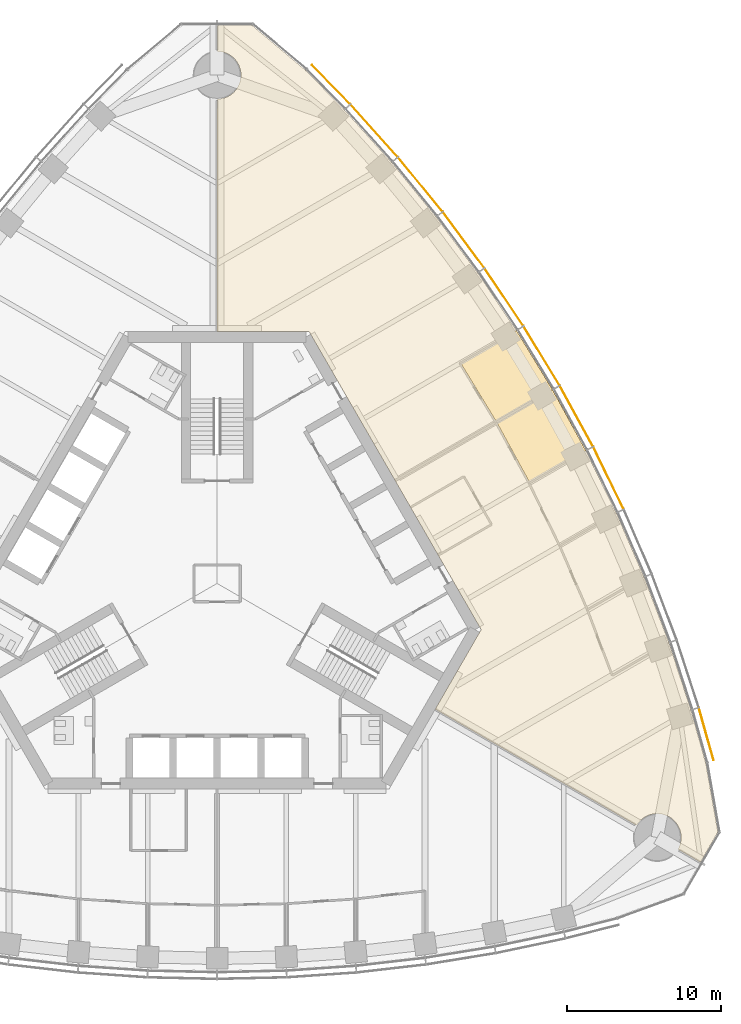
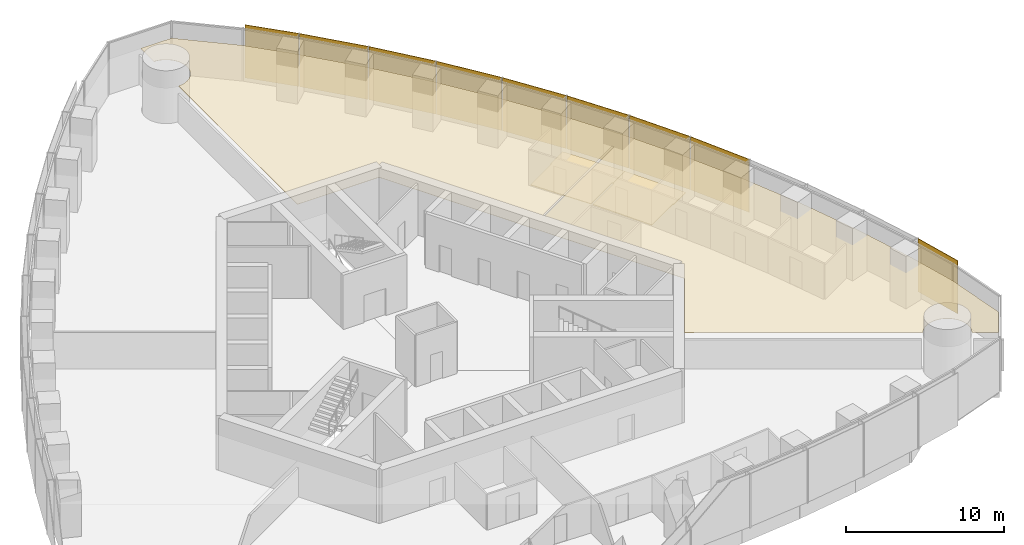
# One storey, part 16 of 18: 9 shading devices, 3 coverings.
"""IFC4 building model written with IfcOpenShell, lengths in metres."""

from ifc_helpers import new_model, si_unit, direction, frame, origin, origin_2d, place, context, subcontext, project, spatial, polyline, rectangle, outline, extrude, material, layer, layer_set, type_object, element, save


model = new_model("IFC4")

# Units and contexts
model_context = context("Model", 3, precision=1e-05, world=origin(), true_north=direction((0.0, 1.0)))
body_context = subcontext(model_context, "Body", "Model", "MODEL_VIEW")
ifc_project = project(units=[si_unit("LENGTHUNIT", "METRE"), si_unit("AREAUNIT", "SQUARE_METRE"), si_unit("VOLUMEUNIT", "CUBIC_METRE"), si_unit("PLANEANGLEUNIT", "RADIAN"), si_unit("MASSUNIT", "GRAM", prefix="KILO")], contexts=[model_context])

# Site, building, storey
site_placement = place(None, origin())
site = spatial("IfcSite", under=ifc_project, at=site_placement, CompositionType="ELEMENT")
building_placement = place(site_placement, origin())
building = spatial("IfcBuilding", under=site, at=building_placement, Name="Trefoil Bronze Tower", CompositionType="ELEMENT")
storey_placement = place(building_placement, frame((0.0, 0.0, 252.699951171875)))
storey = spatial("IfcBuildingStorey", under=building, at=storey_placement, Name="L58", CompositionType="ELEMENT", Elevation=252.699951171875)

# Shading devices
ifc_material_1 = material(Name="Perforated bronze sheet", Category="bronze")
ifc_layer_1 = layer(ifc_material_1, 0.0400390625)
ifc_layer_set_1 = layer_set([ifc_layer_1], Name="Bronze solar screen panel")
shading_device_type = type_object("IfcShadingDeviceType", Name="Bronze solar screen panel", PredefinedType="SHUTTER", material=ifc_layer_set_1)
shading_device_1_placement = place(storey_placement, frame((31.764892578125, -9.7890625, 0.050048828125), z_axis=(0.0, 0.0, 1.0), x_axis=(-0.270282222968, 0.962781138134, 0.0)))
element("IfcShadingDevice", 1, at=shading_device_1_placement, inside=storey, type_object=shading_device_type, Name="Solar screen CW-A L58 F2 bay 1", PredefinedType="SHUTTER", context=body_context, shape_type="SweptSolid", body=[
    extrude(rectangle(XDim=3.53369140625, YDim=0.0400390625, at=origin_2d()), origin(), (0.0, 0.0, 1.0), 4.10009765625),
])
shading_device_2_placement = place(storey_placement, frame((25.4169921875, 6.83740234375, 0.050048828125), z_axis=(0.0, 0.0, 1.0), x_axis=(-0.439129033334, 0.898424004623, 0.0)))
element("IfcShadingDevice", 2, at=shading_device_2_placement, inside=storey, type_object=shading_device_type, Name="Solar screen CW-A L58 F2 bay 5", PredefinedType="SHUTTER", context=body_context, shape_type="SweptSolid", body=[
    extrude(rectangle(XDim=4.480712890625, YDim=0.0400390625, at=origin_2d()), origin(), (0.0, 0.0, 1.0), 4.10009765625),
])
for number, where, z_axis, x_axis, name in (
    (3, (23.3349609375, 10.860107421875, 0.050048828125), (0.0, 0.0, 1.0), (-0.479974003504, 0.877282711536, 0.0), "Solar screen CW-A L58 F2 bay 6"),
    (4, (21.07275390625, 14.77880859375, 0.050048828125), (0.0, 0.0, 1.0), (-0.519762112739, 0.854311035959, 0.0), "Solar screen CW-A L58 F2 bay 7"),
):
    element("IfcShadingDevice", number, at=place(storey_placement, frame(where, z_axis=z_axis, x_axis=x_axis)), inside=storey, type_object=shading_device_type, Name=name, PredefinedType="SHUTTER", context=body_context, shape_type="SweptSolid", body=[
        extrude(rectangle(XDim=4.47119140625, YDim=0.0400390625, at=origin_2d()), origin(), (0.0, 0.0, 1.0), 4.10009765625),
    ])
shading_device_3_placement = place(storey_placement, frame((18.6298828125, 18.59326171875, 0.050048828125), z_axis=(0.0, 0.0, 1.0), x_axis=(-0.558493494706, 0.829508900718, 0.0)))
element("IfcShadingDevice", 5, at=shading_device_3_placement, inside=storey, type_object=shading_device_type, Name="Solar screen CW-A L58 F2 bay 8", PredefinedType="SHUTTER", context=body_context, shape_type="SweptSolid", body=[
    extrude(rectangle(XDim=4.480712890625, YDim=0.0400390625, at=origin_2d()), origin(), (0.0, 0.0, 1.0), 4.10009765625),
])
shading_device_4_placement = place(storey_placement, frame((16.005615234375, 22.302734375, 0.050048828125), z_axis=(0.0, 0.0, 1.0), x_axis=(-0.596161525977, 0.802864518425, 0.0)))
element("IfcShadingDevice", 6, at=shading_device_4_placement, inside=storey, type_object=shading_device_type, Name="Solar screen CW-A L58 F2 bay 9", PredefinedType="SHUTTER", context=body_context, shape_type="SweptSolid", body=[
    extrude(rectangle(XDim=4.5, YDim=0.0400390625, at=origin_2d()), origin(), (0.0, 0.0, 1.0), 4.10009765625),
])
shading_device_5_placement = place(storey_placement, frame((13.197509765625, 25.90625, 0.050048828125), z_axis=(0.0, 0.0, 1.0), x_axis=(-0.63275261301, 0.774354008661, 0.0)))
element("IfcShadingDevice", 7, at=shading_device_5_placement, inside=storey, type_object=shading_device_type, Name="Solar screen CW-A L58 F2 bay 10", PredefinedType="SHUTTER", context=body_context, shape_type="SweptSolid", body=[
    extrude(rectangle(XDim=4.529296875, YDim=0.0400390625, at=origin_2d()), origin(), (0.0, 0.0, 1.0), 4.10009765625),
])
shading_device_6_placement = place(storey_placement, frame((10.20166015625, 29.401611328125, 0.050048828125), z_axis=(0.0, 0.0, 1.0), x_axis=(-0.668245744076, 0.743940606181, 0.0)))
element("IfcShadingDevice", 8, at=shading_device_6_placement, inside=storey, type_object=shading_device_type, Name="Solar screen CW-A L58 F2 bay 11", PredefinedType="SHUTTER", context=body_context, shape_type="SweptSolid", body=[
    extrude(rectangle(XDim=4.5693359375, YDim=0.0400390625, at=origin_2d()), origin(), (0.0, 0.0, 1.0), 4.10009765625),
])
shading_device_7_placement = place(storey_placement, frame((7.40478515625, 32.40380859375, 0.050048828125), z_axis=(0.0, 0.0, 1.0), x_axis=(-0.698651812425, 0.715461840349, 0.0)))
element("IfcShadingDevice", 9, at=shading_device_7_placement, inside=storey, type_object=shading_device_type, Name="Solar screen CW-A L58 F2 bay 12", PredefinedType="SHUTTER", context=body_context, shape_type="SweptSolid", body=[
    extrude(rectangle(XDim=3.53369140625, YDim=0.0400390625, at=origin_2d()), origin(), (0.0, 0.0, 1.0), 4.10009765625),
])

# Coverings
ifc_material_2 = material(Name="Acoustic ceiling panels", Category="mineral fibre")
ifc_layer_2 = layer(ifc_material_2, 0.02001953125)
ifc_layer_set_2 = layer_set([ifc_layer_2], Name="Office ceiling 20")
covering_type_1 = type_object("IfcCoveringType", Name="Office ceiling 20", PredefinedType="CEILING", material=ifc_layer_set_2)
covering_1_placement = place(storey_placement, frame((0.0, 0.0, 2.900146484375)))
element("IfcCovering", 10, at=covering_1_placement, inside=storey, type_object=covering_type_1, Name="Ceiling L58 PA area F2", PredefinedType="CEILING", context=body_context, shape_type="SweptSolid", body=[
    extrude(outline(polyline([(8.26318359375, 30.751708984375), (11.3369140625, 27.329833984375), (14.2216796875, 23.79931640625), (16.92236328125, 20.162353515625), (19.44140625, 16.420654296875), (21.781005859375, 12.5751953125), (23.94140625, 8.62646484375), (25.92236328125, 4.573974609375), (27.7216796875, 0.416748046875), (29.3369140625, -3.846923828125), (30.76318359375, -8.219482421875), (31.7265625, -11.650634765625), (32.518310546875, -16.1416015625), (31.385009765625, -18.1044921875), (29.92724609375, -17.263427734375), (29.94580078125, -17.230712890625), (29.97998046875, -17.16259765625), (30.010986328125, -17.09326171875), (30.0380859375, -17.022216796875), (30.06201171875, -16.949951171875), (30.08251953125, -16.876708984375), (30.09912109375, -16.802490234375), (30.112060546875, -16.727294921875), (30.121337890625, -16.65185546875), (30.126953125, -16.576171875), (30.12890625, -16.5), (30.126953125, -16.423828125), (30.121337890625, -16.34814453125), (30.112060546875, -16.272705078125), (30.09912109375, -16.197509765625), (30.08251953125, -16.123291015625), (30.06201171875, -16.050048828125), (30.0380859375, -15.977783203125), (30.010986328125, -15.90673828125), (29.97998046875, -15.83740234375), (29.94580078125, -15.769287109375), (29.908203125, -15.703125), (29.86767578125, -15.638916015625), (29.82373046875, -15.57666015625), (29.777099609375, -15.5166015625), (29.727294921875, -15.458984375), (29.6748046875, -15.404052734375), (29.619873046875, -15.3515625), (29.56201171875, -15.3017578125), (29.502197265625, -15.2548828125), (29.43994140625, -15.211181640625), (29.375732421875, -15.17041015625), (29.3095703125, -15.133056640625), (29.241455078125, -15.098876953125), (29.172119140625, -15.068115234375), (29.10107421875, -15.04052734375), (29.02880859375, -15.0166015625), (28.95556640625, -14.99658203125), (28.881103515625, -14.979736328125), (28.806396484375, -14.966796875), (28.730712890625, -14.95751953125), (28.65478515625, -14.951904296875), (28.578857421875, -14.949951171875), (28.502685546875, -14.951904296875), (28.427001953125, -14.95751953125), (28.351318359375, -14.966796875), (28.2763671875, -14.979736328125), (28.2021484375, -14.99658203125), (28.12890625, -15.0166015625), (28.056640625, -15.04052734375), (27.985595703125, -15.068115234375), (27.916015625, -15.098876953125), (27.84814453125, -15.133056640625), (27.781982421875, -15.17041015625), (27.7177734375, -15.211181640625), (27.655517578125, -15.2548828125), (27.595458984375, -15.3017578125), (27.537841796875, -15.3515625), (27.48291015625, -15.404052734375), (27.430419921875, -15.458984375), (27.380615234375, -15.5166015625), (27.333984375, -15.57666015625), (27.2900390625, -15.638916015625), (27.24267578125, -15.71484375), (14.16259765625, -8.169677734375), (17.147216796875, -3.0), (5.9755859375, 16.35009765625), (0.006103515625, 16.35009765625), (0.01171875, 31.4501953125), (0.076171875, 31.451904296875), (0.15185546875, 31.45751953125), (0.227294921875, 31.466796875), (0.302490234375, 31.479736328125), (0.376708984375, 31.49658203125), (0.449951171875, 31.5166015625), (0.522216796875, 31.54052734375), (0.59326171875, 31.568115234375), (0.66259765625, 31.598876953125), (0.730712890625, 31.633056640625), (0.796875, 31.67041015625), (0.861083984375, 31.711181640625), (0.92333984375, 31.7548828125), (0.9833984375, 31.8017578125), (1.041015625, 31.8515625), (1.095947265625, 31.904052734375), (1.1484375, 31.958984375), (1.1982421875, 32.0166015625), (1.2451171875, 32.07666015625), (1.288818359375, 32.138916015625), (1.32958984375, 32.203125), (1.366943359375, 32.269287109375), (1.401123046875, 32.33740234375), (1.431884765625, 32.40673828125), (1.45947265625, 32.477783203125), (1.4833984375, 32.550048828125), (1.50341796875, 32.623291015625), (1.520263671875, 32.697509765625), (1.533203125, 32.772705078125), (1.54248046875, 32.84814453125), (1.548095703125, 32.923828125), (1.550048828125, 33.0), (1.548095703125, 33.076171875), (1.54248046875, 33.15185546875), (1.533203125, 33.227294921875), (1.520263671875, 33.302490234375), (1.50341796875, 33.376708984375), (1.4833984375, 33.449951171875), (1.45947265625, 33.522216796875), (1.431884765625, 33.59326171875), (1.401123046875, 33.66259765625), (1.366943359375, 33.730712890625), (1.32958984375, 33.796875), (1.288818359375, 33.861083984375), (1.2451171875, 33.92333984375), (1.1982421875, 33.9833984375), (1.1484375, 34.041015625), (1.095947265625, 34.095947265625), (1.041015625, 34.1484375), (0.9833984375, 34.1982421875), (0.92333984375, 34.2451171875), (0.861083984375, 34.288818359375), (0.796875, 34.32958984375), (0.730712890625, 34.366943359375), (0.66259765625, 34.401123046875), (0.59326171875, 34.431884765625), (0.522216796875, 34.45947265625), (0.449951171875, 34.4833984375), (0.376708984375, 34.50341796875), (0.302490234375, 34.520263671875), (0.227294921875, 34.533203125), (0.15185546875, 34.54248046875), (0.076171875, 34.548095703125), (0.012939453125, 34.5498046875), (0.013671875, 36.232666015625), (2.280029296875, 36.232666015625), (5.7734375, 33.30126953125), (8.26318359375, 30.751708984375)])), origin(), (0.0, 0.0, 1.0), 0.02001953125),
])
ifc_material_3 = material(Name="Raised access floor panels", Category="steel")
ifc_layer_3 = layer(ifc_material_3, 0.050048828125)
ifc_layer_set_3 = layer_set([ifc_layer_3], Name="Raised access floor 150")
covering_type_2 = type_object("IfcCoveringType", Name="Raised access floor 150", PredefinedType="FLOORING", material=ifc_layer_set_3)
covering_2_placement = place(storey_placement, frame((0.0, 0.0, 0.10009765625)))
element("IfcCovering", 11, at=covering_2_placement, inside=storey, type_object=covering_type_2, Name="Raised floor L58 Office F2", PredefinedType="FLOORING", context=body_context, shape_type="SweptSolid", body=[
    extrude(outline(polyline([(19.44140625, 16.420654296875), (21.781005859375, 12.5751953125), (20.4560546875, 11.810302734375), (20.418701171875, 11.875244140625), (18.113525390625, 10.54443359375), (15.843994140625, 14.2744140625), (18.14501953125, 15.60302734375), (18.114990234375, 15.65478515625), (19.44140625, 16.420654296875)])), origin(), (0.0, 0.0, 1.0), 0.050048828125),
])
covering_3_placement = place(storey_placement, frame((0.0, 0.0, 0.10009765625)))
element("IfcCovering", 12, at=covering_3_placement, inside=storey, type_object=covering_type_2, Name="Raised floor L58 Office F2", PredefinedType="FLOORING", context=body_context, shape_type="SweptSolid", body=[
    extrude(outline(polyline([(21.781005859375, 12.5751953125), (23.94140625, 8.62646484375), (22.614990234375, 7.860595703125), (22.585205078125, 7.91259765625), (20.2841796875, 6.584228515625), (18.1884765625, 10.41455078125), (20.49365234375, 11.745361328125), (20.4560546875, 11.810302734375), (21.781005859375, 12.5751953125)])), origin(), (0.0, 0.0, 1.0), 0.050048828125),
])

save(model, "model.ifc")
